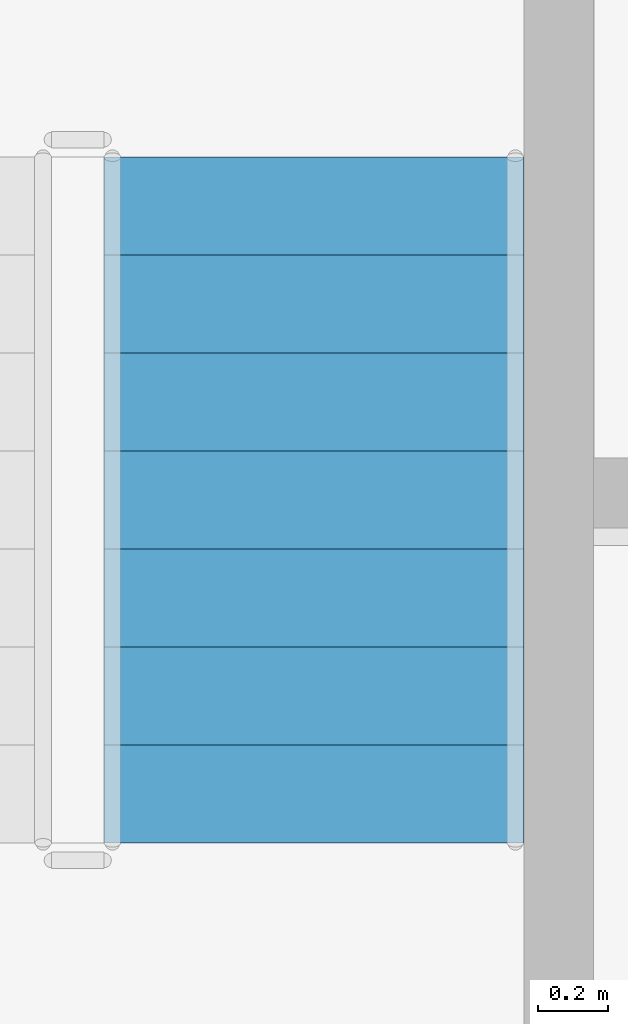
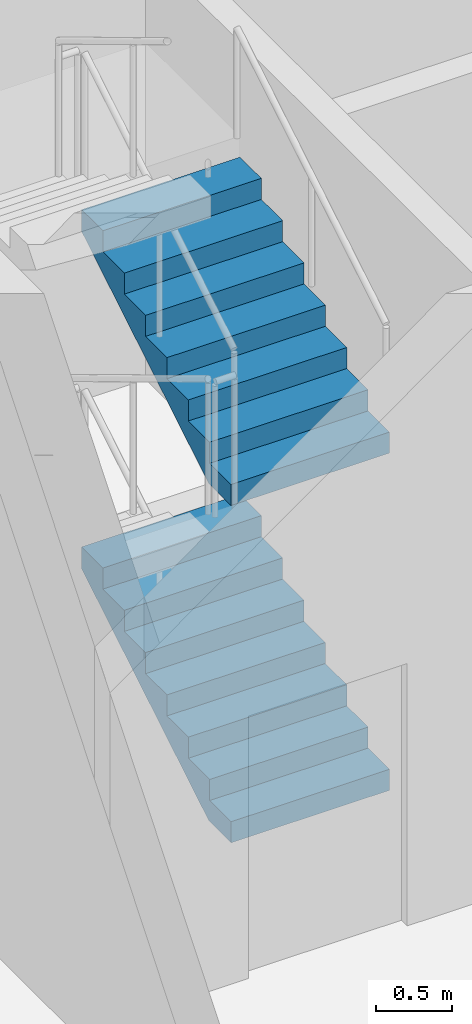
# One storey, part 68 of 101: 2 stair flights, 1 element without a shape of its own.
"""IFC4 building model written with IfcOpenShell, lengths in metres."""

from ifc_helpers import new_model, si_unit, direction, frame, origin, place, context, subcontext, project, spatial, triangles, material, type_object, element, aggregate, save


model = new_model("IFC4")

# Units and contexts
model_context = context("Model", 3, precision=1e-05, world=origin(), true_north=direction((0.0, 1.0)))
body_context = subcontext(model_context, "Body", "Model", "MODEL_VIEW")
ifc_project = project(units=[si_unit("LENGTHUNIT", "METRE"), si_unit("AREAUNIT", "SQUARE_METRE"), si_unit("VOLUMEUNIT", "CUBIC_METRE"), si_unit("PLANEANGLEUNIT", "RADIAN"), si_unit("MASSUNIT", "GRAM", prefix="KILO")], contexts=[model_context])

# Site, building, storey
site_placement = place(None, origin())
site = spatial("IfcSite", under=ifc_project, at=site_placement, CompositionType="ELEMENT")
building_placement = place(site_placement, origin())
building = spatial("IfcBuilding", under=site, at=building_placement, Name="Magnolia Steps Interchange", CompositionType="ELEMENT")
storey_placement = place(building_placement, frame((0.0, 0.0, -5.39990234375)))
storey = spatial("IfcBuildingStorey", under=building, at=storey_placement, Name="B1", CompositionType="ELEMENT", Elevation=-5.39990234375)

# Stair, stair flights
ifc_material_1 = material(Name="Concrete C40", Category="concrete")
stair_type = type_object("IfcStairType", Name="Exit stair 1200", PredefinedType="HALF_TURN_STAIR", material=ifc_material_1)
stair_placement = place(storey_placement, origin())
stair = element("IfcStair", 1, at=stair_placement, inside=storey, type_object=stair_type, Name="B1 Stair 23", PredefinedType="HALF_TURN_STAIR")
ifc_material_2 = material(Name="Concrete C40", Category="concrete")
stair_flight_type = type_object("IfcStairFlightType", Name="Exit stair flight", PredefinedType="STRAIGHT", material=ifc_material_2)
stair_flight_1_placement = place(storey_placement, frame((174.449951171875, 38.699951171875, 0.0), z_axis=(0.0, 0.0, 1.0), x_axis=(0.0, 1.0, 0.0)))
stair_flight_1 = element("IfcStairFlight", 2, at=stair_flight_1_placement, type_object=stair_flight_type, Name="Stair 23 flight 1", NumberOfRisers=8, NumberOfTreads=7, PredefinedType="STRAIGHT", RiserHeight=0.16875, TreadLength=0.28, context=body_context, shape_type="Tessellation", body=[
    triangles([(0.0, -0.5999755859375, 0.0), (0.29052734375, -0.5999755859375, 0.0), (1.9599609375, -0.5999755859375, 1.00634765625), (1.9599609375, -0.5999755859375, 1.18115234375), (1.679931640625, -0.5999755859375, 1.18115234375), (1.679931640625, -0.5999755859375, 1.012451171875), (1.39990234375, -0.5999755859375, 1.012451171875), (1.39990234375, -0.5999755859375, 0.84375), (1.1201171875, -0.5999755859375, 0.84375), (1.1201171875, -0.5999755859375, 0.675048828125), (0.840087890625, -0.5999755859375, 0.675048828125), (0.840087890625, -0.5999755859375, 0.50634765625), (0.56005859375, -0.5999755859375, 0.50634765625), (0.56005859375, -0.5999755859375, 0.33740234375), (0.280029296875, -0.5999755859375, 0.33740234375), (0.280029296875, -0.5999755859375, 0.168701171875), (0.0, -0.5999755859375, 0.168701171875), (0.0, 0.5999755859375, 0.0), (0.29052734375, 0.5999755859375, 0.0), (1.9599609375, 0.5999755859375, 1.00634765625), (1.9599609375, 0.5999755859375, 1.18115234375), (1.679931640625, 0.5999755859375, 1.18115234375), (1.679931640625, 0.5999755859375, 1.012451171875), (1.39990234375, 0.5999755859375, 1.012451171875), (1.39990234375, 0.5999755859375, 0.84375), (1.1201171875, 0.5999755859375, 0.84375), (1.1201171875, 0.5999755859375, 0.675048828125), (0.840087890625, 0.5999755859375, 0.675048828125), (0.840087890625, 0.5999755859375, 0.50634765625), (0.56005859375, 0.5999755859375, 0.50634765625), (0.56005859375, 0.5999755859375, 0.33740234375), (0.280029296875, 0.5999755859375, 0.33740234375), (0.280029296875, 0.5999755859375, 0.168701171875), (0.0, 0.5999755859375, 0.168701171875), (0.0, 0.0, 0.0), (0.0, 0.0, 0.04217529296875), (0.0, 0.0, 0.0843505859375), (0.0, 0.0, 0.12652587890625), (0.0, 0.0, 0.168701171875), (0.0, -0.05, 0.0), (0.0, -0.05, 0.168701171875), (0.0, 0.05, 0.0), (0.0, 0.05, 0.168701171875), (0.046671549479166664, 0.0, 0.168701171875), (0.09334309895833333, 0.0, 0.168701171875), (0.1400146484375, 0.0, 0.168701171875), (0.18668619791666666, 0.0, 0.168701171875), (0.23335774739583334, 0.0, 0.168701171875), (0.280029296875, 0.0, 0.168701171875), (0.280029296875, -0.05, 0.168701171875), (0.280029296875, 0.05, 0.168701171875), (0.280029296875, 0.0, 0.21087646484375), (0.280029296875, 0.0, 0.2530517578125), (0.280029296875, 0.0, 0.29522705078125), (0.280029296875, 0.0, 0.33740234375), (0.280029296875, -0.05, 0.33740234375), (0.280029296875, 0.05, 0.33740234375), (0.3267008463541667, 0.0, 0.33740234375), (0.3733723958333333, 0.0, 0.33740234375), (0.4200439453125, 0.0, 0.33740234375), (0.46671549479166663, 0.0, 0.33740234375), (0.5133870442708334, 0.0, 0.33740234375), (0.56005859375, 0.0, 0.33740234375), (0.56005859375, -0.05, 0.33740234375), (0.56005859375, 0.05, 0.33740234375), (0.56005859375, 0.0, 0.379638671875), (0.56005859375, 0.0, 0.421875), (0.56005859375, 0.0, 0.464111328125), (0.56005859375, 0.0, 0.50634765625), (0.56005859375, -0.05, 0.50634765625), (0.56005859375, 0.05, 0.50634765625), (0.6067301432291666, 0.0, 0.50634765625), (0.6534016927083334, 0.0, 0.50634765625), (0.7000732421875, 0.0, 0.50634765625), (0.7467447916666666, 0.0, 0.50634765625), (0.7934163411458334, 0.0, 0.50634765625), (0.840087890625, 0.0, 0.50634765625), (0.840087890625, -0.05, 0.50634765625), (0.840087890625, 0.05, 0.50634765625), (0.840087890625, 0.0, 0.54852294921875), (0.840087890625, 0.0, 0.5906982421875), (0.840087890625, 0.0, 0.63287353515625), (0.840087890625, 0.0, 0.675048828125), (0.840087890625, -0.05, 0.675048828125), (0.840087890625, 0.05, 0.675048828125), (0.8867594401041666, 0.0, 0.675048828125), (0.9334309895833334, 0.0, 0.675048828125), (0.9801025390625, 0.0, 0.675048828125), (1.0267740885416667, 0.0, 0.675048828125), (1.0734456380208333, 0.0, 0.675048828125), (1.1201171875, 0.0, 0.675048828125), (1.1201171875, -0.05, 0.675048828125), (1.1201171875, 0.05, 0.675048828125), (1.1201171875, 0.0, 0.71722412109375), (1.1201171875, 0.0, 0.7593994140625), (1.1201171875, 0.0, 0.80157470703125), (1.1201171875, 0.0, 0.84375), (1.1201171875, -0.05, 0.84375), (1.1201171875, 0.05, 0.84375), (1.1900634765625, 0.0, 0.84375), (1.260009765625, 0.0, 0.84375), (1.3299560546875, 0.0, 0.84375), (1.39990234375, 0.0, 0.84375), (1.39990234375, -0.05, 0.84375), (1.39990234375, 0.05, 0.84375), (1.39990234375, 0.0, 0.88592529296875), (1.39990234375, 0.0, 0.9281005859375), (1.39990234375, 0.0, 0.97027587890625), (1.39990234375, 0.0, 1.012451171875), (1.39990234375, -0.05, 1.012451171875), (1.39990234375, 0.05, 1.012451171875), (1.4465738932291667, 0.0, 1.012451171875), (1.4932454427083333, 0.0, 1.012451171875), (1.5399169921875, 0.0, 1.012451171875), (1.5865885416666667, 0.0, 1.012451171875), (1.6332600911458333, 0.0, 1.012451171875), (1.679931640625, 0.0, 1.012451171875), (1.679931640625, -0.05, 1.012451171875), (1.679931640625, 0.05, 1.012451171875), (1.679931640625, 0.0, 1.05462646484375), (1.679931640625, 0.0, 1.0968017578125), (1.679931640625, 0.0, 1.13897705078125), (1.679931640625, 0.0, 1.18115234375), (1.679931640625, -0.05, 1.18115234375), (1.679931640625, 0.05, 1.18115234375), (1.7266031901041667, 0.0, 1.18115234375), (1.7732747395833333, 0.0, 1.18115234375), (1.8199462890625, 0.0, 1.18115234375), (1.8666178385416667, 0.0, 1.18115234375), (1.9132893880208333, 0.0, 1.18115234375), (1.9599609375, 0.0, 1.18115234375), (1.9599609375, -0.05, 1.18115234375), (1.9599609375, 0.05, 1.18115234375), (1.9599609375, 0.0, 1.137451171875), (1.9599609375, 0.0, 1.09375), (1.9599609375, 0.0, 1.050048828125), (1.9599609375, 0.0, 1.00634765625), (1.9599609375, -0.05, 1.00634765625), (1.9599609375, 0.05, 1.00634765625), (1.9003383091517858, 0.0, 0.9704066685267857), (1.8407156808035714, 0.0, 0.9344656808035714), (1.7810930524553572, 0.0, 0.8985246930803571), (1.7214704241071428, 0.0, 0.8625837053571428), (1.6618477957589286, 0.0, 0.8266427176339286), (1.6022251674107144, 0.0, 0.7907017299107143), (1.5426025390625, 0.0, 0.7547607421875), (1.4829799107142856, 0.0, 0.7188197544642857), (1.4233572823660714, 0.0, 0.6828787667410714), (1.3637346540178572, 0.0, 0.6469377790178572), (1.3041120256696428, 0.0, 0.6109967912946428), (1.2444893973214286, 0.0, 0.5750558035714286), (1.1848667689732144, 0.0, 0.5391148158482143), (1.125244140625, 0.0, 0.503173828125), (1.0656215122767856, 0.0, 0.4672328404017857), (1.0059988839285714, 0.0, 0.4312918526785714), (0.9463762555803572, 0.0, 0.3953508649553571), (0.8867536272321428, 0.0, 0.3594098772321429), (0.8271309988839286, 0.0, 0.3234688895089286), (0.7675083705357142, 0.0, 0.2875279017857143), (0.7078857421875, 0.0, 0.2515869140625), (0.6482631138392858, 0.0, 0.2156459263392857), (0.5886404854910714, 0.0, 0.1797049386160714), (0.5290178571428572, 0.0, 0.1437639508928571), (0.4693952287946428, 0.0, 0.1078229631696429), (0.4097726004464286, 0.0, 0.0718819754464286), (0.3501499720982142, 0.0, 0.0359409877232143), (0.29052734375, 0.0, 0.0), (0.29052734375, -0.05, 0.0), (0.29052734375, 0.05, 0.0), (0.24210611979166666, 0.0, 0.0), (0.19368489583333331, 0.0, 0.0), (0.145263671875, 0.0, 0.0), (0.09684244791666666, 0.0, 0.0), (0.04842122395833334, 0.0, 0.0)], [[1, 2, 3], [3, 4, 5], [3, 5, 6], [3, 6, 7], [3, 7, 8], [8, 9, 10], [3, 8, 10], [10, 11, 12], [3, 10, 12], [12, 13, 14], [3, 12, 14], [14, 15, 16], [3, 14, 16], [1, 3, 16], [16, 17, 1], [18, 20, 19], [20, 22, 21], [20, 23, 22], [20, 24, 23], [20, 25, 24], [25, 27, 26], [20, 27, 25], [27, 29, 28], [20, 29, 27], [29, 31, 30], [20, 31, 29], [31, 33, 32], [20, 33, 31], [18, 33, 20], [33, 18, 34], [1, 17, 41], [1, 41, 40], [40, 36, 35], [40, 37, 36], [40, 41, 37], [41, 38, 37], [41, 39, 38], [18, 43, 34], [18, 42, 43], [42, 35, 36], [42, 36, 37], [42, 37, 43], [43, 37, 38], [43, 38, 39], [17, 16, 50], [17, 50, 41], [41, 44, 39], [41, 45, 44], [41, 46, 45], [41, 50, 46], [50, 47, 46], [50, 48, 47], [50, 49, 48], [34, 51, 33], [34, 43, 51], [43, 39, 44], [43, 44, 45], [43, 45, 46], [43, 46, 51], [51, 46, 47], [51, 47, 48], [51, 48, 49], [16, 15, 56], [16, 56, 50], [50, 52, 49], [50, 53, 52], [50, 56, 53], [56, 54, 53], [56, 55, 54], [33, 57, 32], [33, 51, 57], [51, 49, 52], [51, 52, 53], [51, 53, 57], [57, 53, 54], [57, 54, 55], [15, 14, 64], [15, 64, 56], [56, 58, 55], [56, 59, 58], [56, 60, 59], [56, 64, 60], [64, 61, 60], [64, 62, 61], [64, 63, 62], [32, 65, 31], [32, 57, 65], [57, 55, 58], [57, 58, 59], [57, 59, 60], [57, 60, 65], [65, 60, 61], [65, 61, 62], [65, 62, 63], [14, 13, 70], [14, 70, 64], [64, 66, 63], [64, 67, 66], [64, 70, 67], [70, 68, 67], [70, 69, 68], [31, 71, 30], [31, 65, 71], [65, 63, 66], [65, 66, 67], [65, 67, 71], [71, 67, 68], [71, 68, 69], [13, 12, 78], [13, 78, 70], [70, 72, 69], [70, 73, 72], [70, 74, 73], [70, 78, 74], [78, 75, 74], [78, 76, 75], [78, 77, 76], [30, 79, 29], [30, 71, 79], [71, 69, 72], [71, 72, 73], [71, 73, 74], [71, 74, 79], [79, 74, 75], [79, 75, 76], [79, 76, 77], [12, 11, 84], [12, 84, 78], [78, 80, 77], [78, 81, 80], [78, 84, 81], [84, 82, 81], [84, 83, 82], [29, 85, 28], [29, 79, 85], [79, 77, 80], [79, 80, 81], [79, 81, 85], [85, 81, 82], [85, 82, 83], [11, 10, 92], [11, 92, 84], [84, 86, 83], [84, 87, 86], [84, 88, 87], [84, 92, 88], [92, 89, 88], [92, 90, 89], [92, 91, 90], [28, 93, 27], [28, 85, 93], [85, 83, 86], [85, 86, 87], [85, 87, 88], [85, 88, 93], [93, 88, 89], [93, 89, 90], [93, 90, 91], [10, 9, 98], [10, 98, 92], [92, 94, 91], [92, 95, 94], [92, 98, 95], [98, 96, 95], [98, 97, 96], [27, 99, 26], [27, 93, 99], [93, 91, 94], [93, 94, 95], [93, 95, 99], [99, 95, 96], [99, 96, 97], [9, 8, 104], [9, 104, 98], [98, 100, 97], [98, 101, 100], [98, 104, 101], [104, 102, 101], [104, 103, 102], [26, 105, 25], [26, 99, 105], [99, 97, 100], [99, 100, 101], [99, 101, 105], [105, 101, 102], [105, 102, 103], [8, 7, 110], [8, 110, 104], [104, 106, 103], [104, 107, 106], [104, 110, 107], [110, 108, 107], [110, 109, 108], [25, 111, 24], [25, 105, 111], [105, 103, 106], [105, 106, 107], [105, 107, 111], [111, 107, 108], [111, 108, 109], [7, 6, 118], [7, 118, 110], [110, 112, 109], [110, 113, 112], [110, 114, 113], [110, 118, 114], [118, 115, 114], [118, 116, 115], [118, 117, 116], [24, 119, 23], [24, 111, 119], [111, 109, 112], [111, 112, 113], [111, 113, 114], [111, 114, 119], [119, 114, 115], [119, 115, 116], [119, 116, 117], [6, 5, 124], [6, 124, 118], [118, 120, 117], [118, 121, 120], [118, 124, 121], [124, 122, 121], [124, 123, 122], [23, 125, 22], [23, 119, 125], [119, 117, 120], [119, 120, 121], [119, 121, 125], [125, 121, 122], [125, 122, 123], [5, 4, 132], [5, 132, 124], [124, 126, 123], [124, 127, 126], [124, 128, 127], [124, 132, 128], [132, 129, 128], [132, 130, 129], [132, 131, 130], [22, 133, 21], [22, 125, 133], [125, 123, 126], [125, 126, 127], [125, 127, 128], [125, 128, 133], [133, 128, 129], [133, 129, 130], [133, 130, 131], [4, 3, 138], [4, 138, 132], [132, 134, 131], [132, 135, 134], [132, 138, 135], [138, 136, 135], [138, 137, 136], [21, 139, 20], [21, 133, 139], [133, 131, 134], [133, 134, 135], [133, 135, 139], [139, 135, 136], [139, 136, 137], [3, 2, 168], [3, 168, 138], [138, 140, 137], [138, 141, 140], [138, 142, 141], [138, 143, 142], [138, 144, 143], [138, 145, 144], [138, 146, 145], [138, 147, 146], [138, 148, 147], [138, 149, 148], [138, 150, 149], [138, 151, 150], [138, 152, 151], [138, 153, 152], [138, 168, 153], [168, 154, 153], [168, 155, 154], [168, 156, 155], [168, 157, 156], [168, 158, 157], [168, 159, 158], [168, 160, 159], [168, 161, 160], [168, 162, 161], [168, 163, 162], [168, 164, 163], [168, 165, 164], [168, 166, 165], [168, 167, 166], [20, 169, 19], [20, 139, 169], [139, 137, 140], [139, 140, 141], [139, 141, 142], [139, 142, 143], [139, 143, 144], [139, 144, 145], [139, 145, 146], [139, 146, 147], [139, 147, 148], [139, 148, 149], [139, 149, 150], [139, 150, 151], [139, 151, 152], [139, 152, 153], [139, 153, 169], [169, 153, 154], [169, 154, 155], [169, 155, 156], [169, 156, 157], [169, 157, 158], [169, 158, 159], [169, 159, 160], [169, 160, 161], [169, 161, 162], [169, 162, 163], [169, 163, 164], [169, 164, 165], [169, 165, 166], [169, 166, 167], [2, 1, 40], [2, 40, 168], [168, 170, 167], [168, 171, 170], [168, 172, 171], [168, 40, 172], [40, 173, 172], [40, 174, 173], [40, 35, 174], [19, 42, 18], [19, 169, 42], [169, 167, 170], [169, 170, 171], [169, 171, 172], [169, 172, 42], [42, 172, 173], [42, 173, 174], [42, 174, 35]], closed=True),
])
stair_flight_2_placement = place(storey_placement, frame((174.449951171875, 38.699951171875, 2.699951171875), z_axis=(0.0, 0.0, 1.0), x_axis=(0.0, 1.0, 0.0)))
stair_flight_2 = element("IfcStairFlight", 3, at=stair_flight_2_placement, type_object=stair_flight_type, Name="Stair 23 flight 3", NumberOfRisers=8, NumberOfTreads=7, PredefinedType="STRAIGHT", RiserHeight=0.16875, TreadLength=0.28, context=body_context, shape_type="Tessellation", body=[
    triangles([(0.0, -0.5999755859375, 0.0), (0.29052734375, -0.5999755859375, 0.0), (1.9599609375, -0.5999755859375, 1.00634765625), (1.9599609375, -0.5999755859375, 1.18115234375), (1.679931640625, -0.5999755859375, 1.18115234375), (1.679931640625, -0.5999755859375, 1.012451171875), (1.39990234375, -0.5999755859375, 1.012451171875), (1.39990234375, -0.5999755859375, 0.84375), (1.1201171875, -0.5999755859375, 0.84375), (1.1201171875, -0.5999755859375, 0.675048828125), (0.840087890625, -0.5999755859375, 0.675048828125), (0.840087890625, -0.5999755859375, 0.50634765625), (0.56005859375, -0.5999755859375, 0.50634765625), (0.56005859375, -0.5999755859375, 0.33740234375), (0.280029296875, -0.5999755859375, 0.33740234375), (0.280029296875, -0.5999755859375, 0.168701171875), (0.0, -0.5999755859375, 0.168701171875), (0.0, 0.5999755859375, 0.0), (0.29052734375, 0.5999755859375, 0.0), (1.9599609375, 0.5999755859375, 1.00634765625), (1.9599609375, 0.5999755859375, 1.18115234375), (1.679931640625, 0.5999755859375, 1.18115234375), (1.679931640625, 0.5999755859375, 1.012451171875), (1.39990234375, 0.5999755859375, 1.012451171875), (1.39990234375, 0.5999755859375, 0.84375), (1.1201171875, 0.5999755859375, 0.84375), (1.1201171875, 0.5999755859375, 0.675048828125), (0.840087890625, 0.5999755859375, 0.675048828125), (0.840087890625, 0.5999755859375, 0.50634765625), (0.56005859375, 0.5999755859375, 0.50634765625), (0.56005859375, 0.5999755859375, 0.33740234375), (0.280029296875, 0.5999755859375, 0.33740234375), (0.280029296875, 0.5999755859375, 0.168701171875), (0.0, 0.5999755859375, 0.168701171875), (0.0, 0.0, 0.0), (0.0, 0.0, 0.04217529296875), (0.0, 0.0, 0.0843505859375), (0.0, 0.0, 0.12652587890625), (0.0, 0.0, 0.168701171875), (0.0, -0.05, 0.0), (0.0, -0.05, 0.168701171875), (0.0, 0.05, 0.0), (0.0, 0.05, 0.168701171875), (0.046671549479166664, 0.0, 0.168701171875), (0.09334309895833333, 0.0, 0.168701171875), (0.1400146484375, 0.0, 0.168701171875), (0.18668619791666666, 0.0, 0.168701171875), (0.23335774739583334, 0.0, 0.168701171875), (0.280029296875, 0.0, 0.168701171875), (0.280029296875, -0.05, 0.168701171875), (0.280029296875, 0.05, 0.168701171875), (0.280029296875, 0.0, 0.21087646484375), (0.280029296875, 0.0, 0.2530517578125), (0.280029296875, 0.0, 0.29522705078125), (0.280029296875, 0.0, 0.33740234375), (0.280029296875, -0.05, 0.33740234375), (0.280029296875, 0.05, 0.33740234375), (0.3267008463541667, 0.0, 0.33740234375), (0.3733723958333333, 0.0, 0.33740234375), (0.4200439453125, 0.0, 0.33740234375), (0.46671549479166663, 0.0, 0.33740234375), (0.5133870442708334, 0.0, 0.33740234375), (0.56005859375, 0.0, 0.33740234375), (0.56005859375, -0.05, 0.33740234375), (0.56005859375, 0.05, 0.33740234375), (0.56005859375, 0.0, 0.379638671875), (0.56005859375, 0.0, 0.421875), (0.56005859375, 0.0, 0.464111328125), (0.56005859375, 0.0, 0.50634765625), (0.56005859375, -0.05, 0.50634765625), (0.56005859375, 0.05, 0.50634765625), (0.6067301432291666, 0.0, 0.50634765625), (0.6534016927083334, 0.0, 0.50634765625), (0.7000732421875, 0.0, 0.50634765625), (0.7467447916666666, 0.0, 0.50634765625), (0.7934163411458334, 0.0, 0.50634765625), (0.840087890625, 0.0, 0.50634765625), (0.840087890625, -0.05, 0.50634765625), (0.840087890625, 0.05, 0.50634765625), (0.840087890625, 0.0, 0.54852294921875), (0.840087890625, 0.0, 0.5906982421875), (0.840087890625, 0.0, 0.63287353515625), (0.840087890625, 0.0, 0.675048828125), (0.840087890625, -0.05, 0.675048828125), (0.840087890625, 0.05, 0.675048828125), (0.8867594401041666, 0.0, 0.675048828125), (0.9334309895833334, 0.0, 0.675048828125), (0.9801025390625, 0.0, 0.675048828125), (1.0267740885416667, 0.0, 0.675048828125), (1.0734456380208333, 0.0, 0.675048828125), (1.1201171875, 0.0, 0.675048828125), (1.1201171875, -0.05, 0.675048828125), (1.1201171875, 0.05, 0.675048828125), (1.1201171875, 0.0, 0.71722412109375), (1.1201171875, 0.0, 0.7593994140625), (1.1201171875, 0.0, 0.80157470703125), (1.1201171875, 0.0, 0.84375), (1.1201171875, -0.05, 0.84375), (1.1201171875, 0.05, 0.84375), (1.1900634765625, 0.0, 0.84375), (1.260009765625, 0.0, 0.84375), (1.3299560546875, 0.0, 0.84375), (1.39990234375, 0.0, 0.84375), (1.39990234375, -0.05, 0.84375), (1.39990234375, 0.05, 0.84375), (1.39990234375, 0.0, 0.88592529296875), (1.39990234375, 0.0, 0.9281005859375), (1.39990234375, 0.0, 0.97027587890625), (1.39990234375, 0.0, 1.012451171875), (1.39990234375, -0.05, 1.012451171875), (1.39990234375, 0.05, 1.012451171875), (1.4465738932291667, 0.0, 1.012451171875), (1.4932454427083333, 0.0, 1.012451171875), (1.5399169921875, 0.0, 1.012451171875), (1.5865885416666667, 0.0, 1.012451171875), (1.6332600911458333, 0.0, 1.012451171875), (1.679931640625, 0.0, 1.012451171875), (1.679931640625, -0.05, 1.012451171875), (1.679931640625, 0.05, 1.012451171875), (1.679931640625, 0.0, 1.05462646484375), (1.679931640625, 0.0, 1.0968017578125), (1.679931640625, 0.0, 1.13897705078125), (1.679931640625, 0.0, 1.18115234375), (1.679931640625, -0.05, 1.18115234375), (1.679931640625, 0.05, 1.18115234375), (1.7266031901041667, 0.0, 1.18115234375), (1.7732747395833333, 0.0, 1.18115234375), (1.8199462890625, 0.0, 1.18115234375), (1.8666178385416667, 0.0, 1.18115234375), (1.9132893880208333, 0.0, 1.18115234375), (1.9599609375, 0.0, 1.18115234375), (1.9599609375, -0.05, 1.18115234375), (1.9599609375, 0.05, 1.18115234375), (1.9599609375, 0.0, 1.137451171875), (1.9599609375, 0.0, 1.09375), (1.9599609375, 0.0, 1.050048828125), (1.9599609375, 0.0, 1.00634765625), (1.9599609375, -0.05, 1.00634765625), (1.9599609375, 0.05, 1.00634765625), (1.9003383091517858, 0.0, 0.9704066685267857), (1.8407156808035714, 0.0, 0.9344656808035714), (1.7810930524553572, 0.0, 0.8985246930803571), (1.7214704241071428, 0.0, 0.8625837053571428), (1.6618477957589286, 0.0, 0.8266427176339286), (1.6022251674107144, 0.0, 0.7907017299107143), (1.5426025390625, 0.0, 0.7547607421875), (1.4829799107142856, 0.0, 0.7188197544642857), (1.4233572823660714, 0.0, 0.6828787667410714), (1.3637346540178572, 0.0, 0.6469377790178572), (1.3041120256696428, 0.0, 0.6109967912946428), (1.2444893973214286, 0.0, 0.5750558035714286), (1.1848667689732144, 0.0, 0.5391148158482143), (1.125244140625, 0.0, 0.503173828125), (1.0656215122767856, 0.0, 0.4672328404017857), (1.0059988839285714, 0.0, 0.4312918526785714), (0.9463762555803572, 0.0, 0.3953508649553571), (0.8867536272321428, 0.0, 0.3594098772321429), (0.8271309988839286, 0.0, 0.3234688895089286), (0.7675083705357142, 0.0, 0.2875279017857143), (0.7078857421875, 0.0, 0.2515869140625), (0.6482631138392858, 0.0, 0.2156459263392857), (0.5886404854910714, 0.0, 0.1797049386160714), (0.5290178571428572, 0.0, 0.1437639508928571), (0.4693952287946428, 0.0, 0.1078229631696429), (0.4097726004464286, 0.0, 0.0718819754464286), (0.3501499720982142, 0.0, 0.0359409877232143), (0.29052734375, 0.0, 0.0), (0.29052734375, -0.05, 0.0), (0.29052734375, 0.05, 0.0), (0.24210611979166666, 0.0, 0.0), (0.19368489583333331, 0.0, 0.0), (0.145263671875, 0.0, 0.0), (0.09684244791666666, 0.0, 0.0), (0.04842122395833334, 0.0, 0.0)], [[1, 2, 3], [3, 4, 5], [3, 5, 6], [3, 6, 7], [3, 7, 8], [8, 9, 10], [3, 8, 10], [10, 11, 12], [3, 10, 12], [12, 13, 14], [3, 12, 14], [14, 15, 16], [3, 14, 16], [1, 3, 16], [16, 17, 1], [18, 20, 19], [20, 22, 21], [20, 23, 22], [20, 24, 23], [20, 25, 24], [25, 27, 26], [20, 27, 25], [27, 29, 28], [20, 29, 27], [29, 31, 30], [20, 31, 29], [31, 33, 32], [20, 33, 31], [18, 33, 20], [33, 18, 34], [1, 17, 41], [1, 41, 40], [40, 36, 35], [40, 37, 36], [40, 41, 37], [41, 38, 37], [41, 39, 38], [18, 43, 34], [18, 42, 43], [42, 35, 36], [42, 36, 37], [42, 37, 43], [43, 37, 38], [43, 38, 39], [17, 16, 50], [17, 50, 41], [41, 44, 39], [41, 45, 44], [41, 46, 45], [41, 50, 46], [50, 47, 46], [50, 48, 47], [50, 49, 48], [34, 51, 33], [34, 43, 51], [43, 39, 44], [43, 44, 45], [43, 45, 46], [43, 46, 51], [51, 46, 47], [51, 47, 48], [51, 48, 49], [16, 15, 56], [16, 56, 50], [50, 52, 49], [50, 53, 52], [50, 56, 53], [56, 54, 53], [56, 55, 54], [33, 57, 32], [33, 51, 57], [51, 49, 52], [51, 52, 53], [51, 53, 57], [57, 53, 54], [57, 54, 55], [15, 14, 64], [15, 64, 56], [56, 58, 55], [56, 59, 58], [56, 60, 59], [56, 64, 60], [64, 61, 60], [64, 62, 61], [64, 63, 62], [32, 65, 31], [32, 57, 65], [57, 55, 58], [57, 58, 59], [57, 59, 60], [57, 60, 65], [65, 60, 61], [65, 61, 62], [65, 62, 63], [14, 13, 70], [14, 70, 64], [64, 66, 63], [64, 67, 66], [64, 70, 67], [70, 68, 67], [70, 69, 68], [31, 71, 30], [31, 65, 71], [65, 63, 66], [65, 66, 67], [65, 67, 71], [71, 67, 68], [71, 68, 69], [13, 12, 78], [13, 78, 70], [70, 72, 69], [70, 73, 72], [70, 74, 73], [70, 78, 74], [78, 75, 74], [78, 76, 75], [78, 77, 76], [30, 79, 29], [30, 71, 79], [71, 69, 72], [71, 72, 73], [71, 73, 74], [71, 74, 79], [79, 74, 75], [79, 75, 76], [79, 76, 77], [12, 11, 84], [12, 84, 78], [78, 80, 77], [78, 81, 80], [78, 84, 81], [84, 82, 81], [84, 83, 82], [29, 85, 28], [29, 79, 85], [79, 77, 80], [79, 80, 81], [79, 81, 85], [85, 81, 82], [85, 82, 83], [11, 10, 92], [11, 92, 84], [84, 86, 83], [84, 87, 86], [84, 88, 87], [84, 92, 88], [92, 89, 88], [92, 90, 89], [92, 91, 90], [28, 93, 27], [28, 85, 93], [85, 83, 86], [85, 86, 87], [85, 87, 88], [85, 88, 93], [93, 88, 89], [93, 89, 90], [93, 90, 91], [10, 9, 98], [10, 98, 92], [92, 94, 91], [92, 95, 94], [92, 98, 95], [98, 96, 95], [98, 97, 96], [27, 99, 26], [27, 93, 99], [93, 91, 94], [93, 94, 95], [93, 95, 99], [99, 95, 96], [99, 96, 97], [9, 8, 104], [9, 104, 98], [98, 100, 97], [98, 101, 100], [98, 104, 101], [104, 102, 101], [104, 103, 102], [26, 105, 25], [26, 99, 105], [99, 97, 100], [99, 100, 101], [99, 101, 105], [105, 101, 102], [105, 102, 103], [8, 7, 110], [8, 110, 104], [104, 106, 103], [104, 107, 106], [104, 110, 107], [110, 108, 107], [110, 109, 108], [25, 111, 24], [25, 105, 111], [105, 103, 106], [105, 106, 107], [105, 107, 111], [111, 107, 108], [111, 108, 109], [7, 6, 118], [7, 118, 110], [110, 112, 109], [110, 113, 112], [110, 114, 113], [110, 118, 114], [118, 115, 114], [118, 116, 115], [118, 117, 116], [24, 119, 23], [24, 111, 119], [111, 109, 112], [111, 112, 113], [111, 113, 114], [111, 114, 119], [119, 114, 115], [119, 115, 116], [119, 116, 117], [6, 5, 124], [6, 124, 118], [118, 120, 117], [118, 121, 120], [118, 124, 121], [124, 122, 121], [124, 123, 122], [23, 125, 22], [23, 119, 125], [119, 117, 120], [119, 120, 121], [119, 121, 125], [125, 121, 122], [125, 122, 123], [5, 4, 132], [5, 132, 124], [124, 126, 123], [124, 127, 126], [124, 128, 127], [124, 132, 128], [132, 129, 128], [132, 130, 129], [132, 131, 130], [22, 133, 21], [22, 125, 133], [125, 123, 126], [125, 126, 127], [125, 127, 128], [125, 128, 133], [133, 128, 129], [133, 129, 130], [133, 130, 131], [4, 3, 138], [4, 138, 132], [132, 134, 131], [132, 135, 134], [132, 138, 135], [138, 136, 135], [138, 137, 136], [21, 139, 20], [21, 133, 139], [133, 131, 134], [133, 134, 135], [133, 135, 139], [139, 135, 136], [139, 136, 137], [3, 2, 168], [3, 168, 138], [138, 140, 137], [138, 141, 140], [138, 142, 141], [138, 143, 142], [138, 144, 143], [138, 145, 144], [138, 146, 145], [138, 147, 146], [138, 148, 147], [138, 149, 148], [138, 150, 149], [138, 151, 150], [138, 152, 151], [138, 153, 152], [138, 168, 153], [168, 154, 153], [168, 155, 154], [168, 156, 155], [168, 157, 156], [168, 158, 157], [168, 159, 158], [168, 160, 159], [168, 161, 160], [168, 162, 161], [168, 163, 162], [168, 164, 163], [168, 165, 164], [168, 166, 165], [168, 167, 166], [20, 169, 19], [20, 139, 169], [139, 137, 140], [139, 140, 141], [139, 141, 142], [139, 142, 143], [139, 143, 144], [139, 144, 145], [139, 145, 146], [139, 146, 147], [139, 147, 148], [139, 148, 149], [139, 149, 150], [139, 150, 151], [139, 151, 152], [139, 152, 153], [139, 153, 169], [169, 153, 154], [169, 154, 155], [169, 155, 156], [169, 156, 157], [169, 157, 158], [169, 158, 159], [169, 159, 160], [169, 160, 161], [169, 161, 162], [169, 162, 163], [169, 163, 164], [169, 164, 165], [169, 165, 166], [169, 166, 167], [2, 1, 40], [2, 40, 168], [168, 170, 167], [168, 171, 170], [168, 172, 171], [168, 40, 172], [40, 173, 172], [40, 174, 173], [40, 35, 174], [19, 42, 18], [19, 169, 42], [169, 167, 170], [169, 170, 171], [169, 171, 172], [169, 172, 42], [42, 172, 173], [42, 173, 174], [42, 174, 35]], closed=True),
])
aggregate(stair, [stair_flight_1, stair_flight_2])

save(model, "model.ifc")
